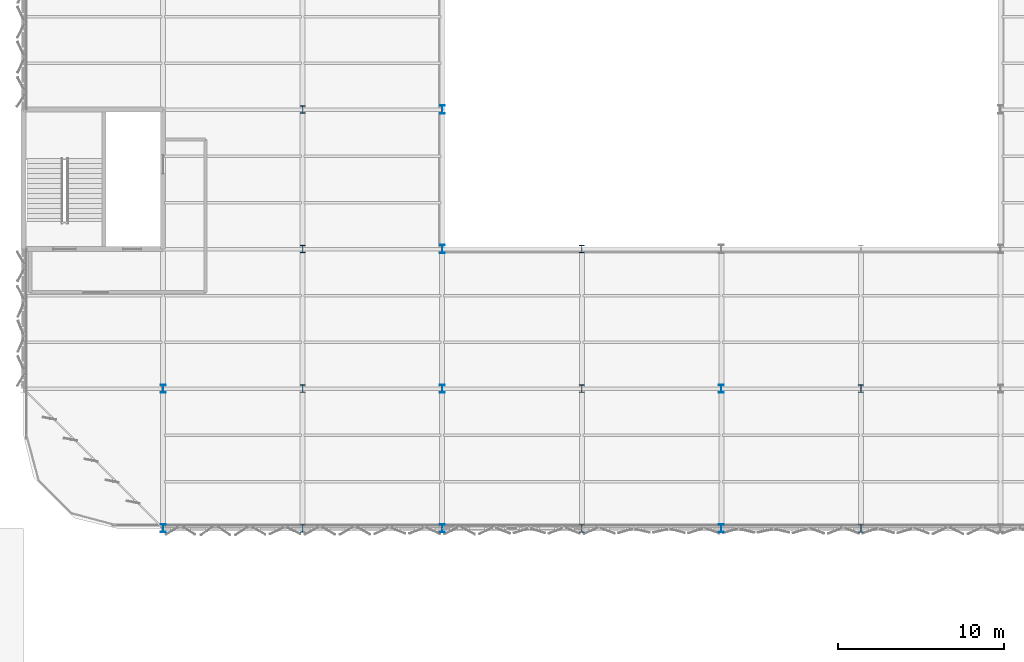
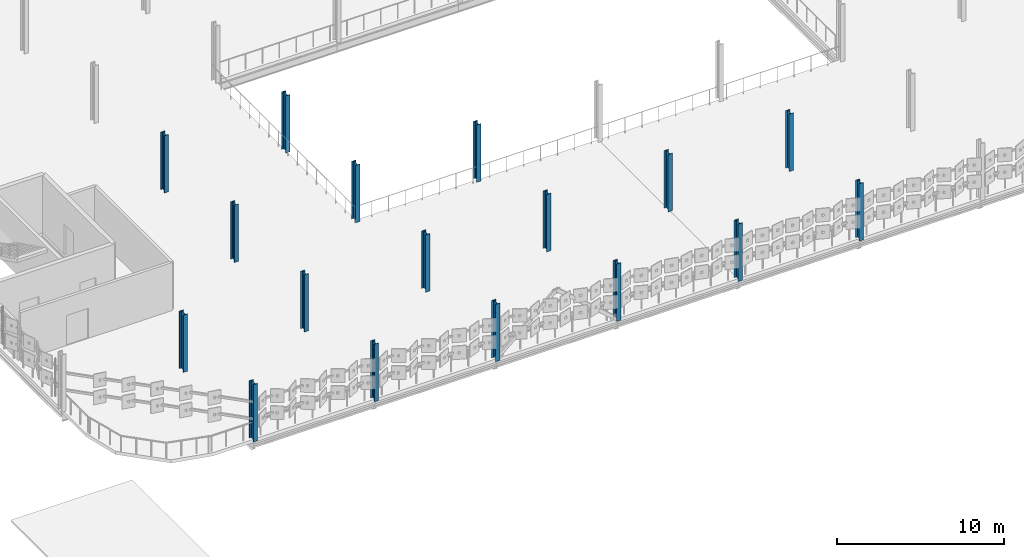
# One storey, part 6 of 69: 17 columns.
"""IFC4 building model written with IfcOpenShell, lengths in metres."""

from ifc_helpers import new_model, si_unit, direction, frame, origin, origin_2d, place, context, subcontext, project, spatial, i_section, extrude, material, material_profile, profile_set, type_object, element, save


model = new_model("IFC4")

# Units and contexts
model_context = context("Model", 3, precision=1e-05, world=origin(), true_north=direction((0.0, 1.0)))
body_context = subcontext(model_context, "Body", "Model", "MODEL_VIEW")
ifc_project = project(units=[si_unit("LENGTHUNIT", "METRE"), si_unit("AREAUNIT", "SQUARE_METRE"), si_unit("VOLUMEUNIT", "CUBIC_METRE"), si_unit("PLANEANGLEUNIT", "RADIAN"), si_unit("MASSUNIT", "GRAM", prefix="KILO")], contexts=[model_context])

# Site, building, storey
site_placement = place(None, origin())
site = spatial("IfcSite", under=ifc_project, at=site_placement, CompositionType="ELEMENT")
building_placement = place(site_placement, origin())
building = spatial("IfcBuilding", under=site, at=building_placement, Name="Qalvenar Corner Mobility Hub", CompositionType="ELEMENT")
storey_placement = place(building_placement, frame((0.0, 0.0, 13.199951171875)))
storey = spatial("IfcBuildingStorey", under=building, at=storey_placement, Name="L03", CompositionType="ELEMENT", Elevation=13.199951171875)

# Columns
ifc_material = material(Name="Steel S355", Category="steel")
ifc_material_profile_1 = material_profile(ifc_material, i_section(OverallWidth=0.300048828125, OverallDepth=0.449951171875, WebThickness=0.013916015625, FlangeThickness=0.02587890625, FilletRadius=0.027099609375, at=origin_2d()), Name="HEB450")
ifc_profile_set_1 = profile_set([ifc_material_profile_1], Name="Steel S355")
column_type_1 = type_object("IfcColumnType", Name="COL-HEB450", PredefinedType="COLUMN", material=ifc_profile_set_1)
for number, where, z_axis, x_axis, name in (
    (1, (75.60009765625, 67.199951171875, 0.0), (0.0, 0.0, 1.0), (1.0, 0.0, 0.0), "Steel Column L03-G10-8"),
    (2, (75.60009765625, 75.60009765625, 0.0), (0.0, 0.0, 1.0), (1.0, 0.0, 0.0), "Steel Column L03-G10-9"),
    (3, (75.60009765625, 84.0, 0.0), (0.0, 0.0, 1.0), (1.0, 0.0, 0.0), "Steel Column L03-G10-10"),
    (4, (75.60009765625, 92.39990234375, 0.0), (0.0, 0.0, 1.0), (1.0, 0.0, 0.0), "Steel Column L03-G10-11"),
    (5, (92.39990234375, 67.199951171875, 0.0), (0.0, 0.0, 1.0), (1.0, 0.0, 0.0), "Steel Column L03-G12-8"),
    (6, (92.39990234375, 75.60009765625, 0.0), (0.0, 0.0, 1.0), (1.0, 0.0, 0.0), "Steel Column L03-G12-9"),
    (7, (92.39990234375, 84.0, 0.0), (0.0, 0.0, 1.0), (1.0, 0.0, 0.0), "Steel Column L03-G12-10"),
    (8, (109.199951171875, 67.199951171875, 0.0), (0.0, 0.0, 1.0), (1.0, 0.0, 0.0), "Steel Column L03-G14-8"),
    (9, (109.199951171875, 75.60009765625, 0.0), (0.0, 0.0, 1.0), (1.0, 0.0, 0.0), "Steel Column L03-G14-9"),
):
    element("IfcColumn", number, at=place(storey_placement, frame(where, z_axis=z_axis, x_axis=x_axis)), inside=storey, type_object=column_type_1, Name=name, PredefinedType="COLUMN", context=body_context, shape_type="SweptSolid", body=[
        extrude(i_section(OverallWidth=0.300048828125, OverallDepth=0.449951171875, WebThickness=0.013916015625, FlangeThickness=0.02587890625, FilletRadius=0.027099609375, at=origin_2d()), origin(), (0.0, 0.0, 1.0), 4.199951171875),
    ])
ifc_material_profile_2 = material_profile(ifc_material, i_section(OverallWidth=0.300048828125, OverallDepth=0.5, WebThickness=0.014404296875, FlangeThickness=0.028076171875, FilletRadius=0.027099609375, at=origin_2d()), Name="HEB500")
ifc_profile_set_2 = profile_set([ifc_material_profile_2], Name="Steel S355")
column_type_2 = type_object("IfcColumnType", Name="COL-HEB500", PredefinedType="COLUMN", material=ifc_profile_set_2)
for number, where, z_axis, x_axis, name in (
    (10, (67.199951171875, 67.199951171875, 0.0), (0.0, 0.0, 1.0), (1.0, 0.0, 0.0), "Steel Column L03-G9-8"),
    (11, (67.199951171875, 75.60009765625, 0.0), (0.0, 0.0, 1.0), (1.0, 0.0, 0.0), "Steel Column L03-G9-9"),
    (12, (84.0, 67.199951171875, 0.0), (0.0, 0.0, 1.0), (1.0, 0.0, 0.0), "Steel Column L03-G11-8"),
    (13, (84.0, 75.60009765625, 0.0), (0.0, 0.0, 1.0), (1.0, 0.0, 0.0), "Steel Column L03-G11-9"),
    (14, (84.0, 84.0, 0.0), (0.0, 0.0, 1.0), (1.0, 0.0, 0.0), "Steel Column L03-G11-10"),
    (15, (84.0, 92.39990234375, 0.0), (0.0, 0.0, 1.0), (1.0, 0.0, 0.0), "Steel Column L03-G11-11"),
    (16, (100.800048828125, 67.199951171875, 0.0), (0.0, 0.0, 1.0), (1.0, 0.0, 0.0), "Steel Column L03-G13-8"),
    (17, (100.800048828125, 75.60009765625, 0.0), (0.0, 0.0, 1.0), (1.0, 0.0, 0.0), "Steel Column L03-G13-9"),
):
    element("IfcColumn", number, at=place(storey_placement, frame(where, z_axis=z_axis, x_axis=x_axis)), inside=storey, type_object=column_type_2, Name=name, PredefinedType="COLUMN", context=body_context, shape_type="SweptSolid", body=[
        extrude(i_section(OverallWidth=0.300048828125, OverallDepth=0.5, WebThickness=0.014404296875, FlangeThickness=0.028076171875, FilletRadius=0.027099609375, at=origin_2d()), origin(), (0.0, 0.0, 1.0), 4.199951171875),
    ])

save(model, "model.ifc")
